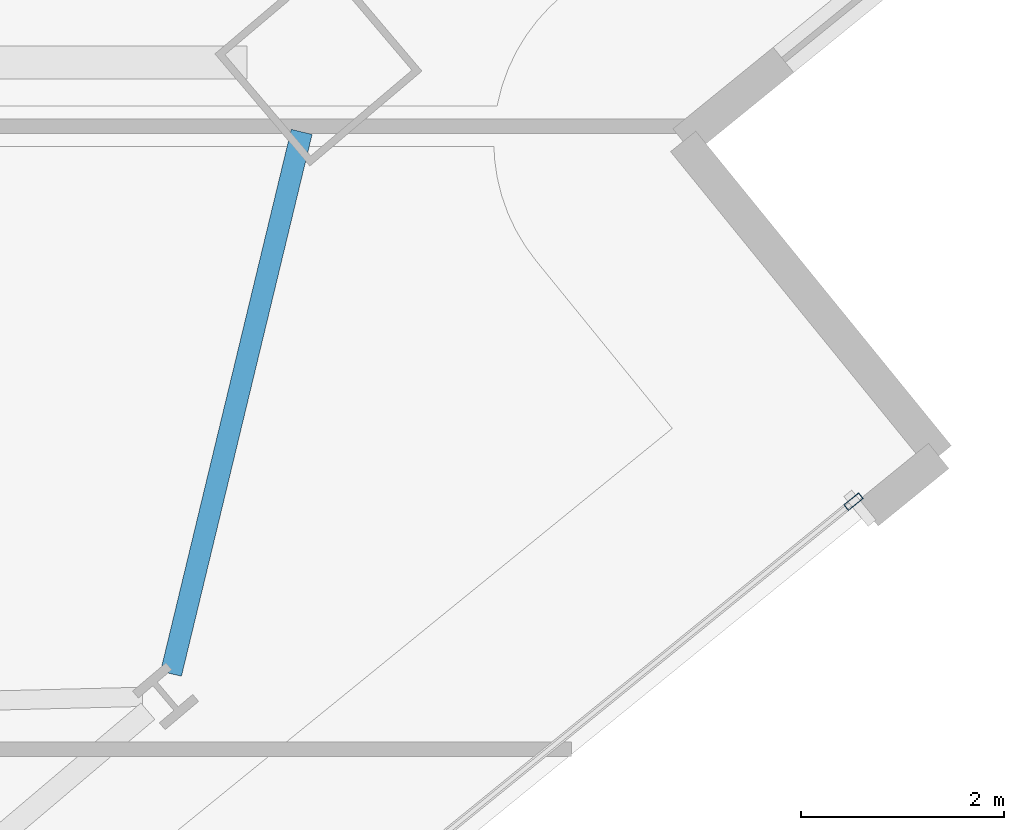
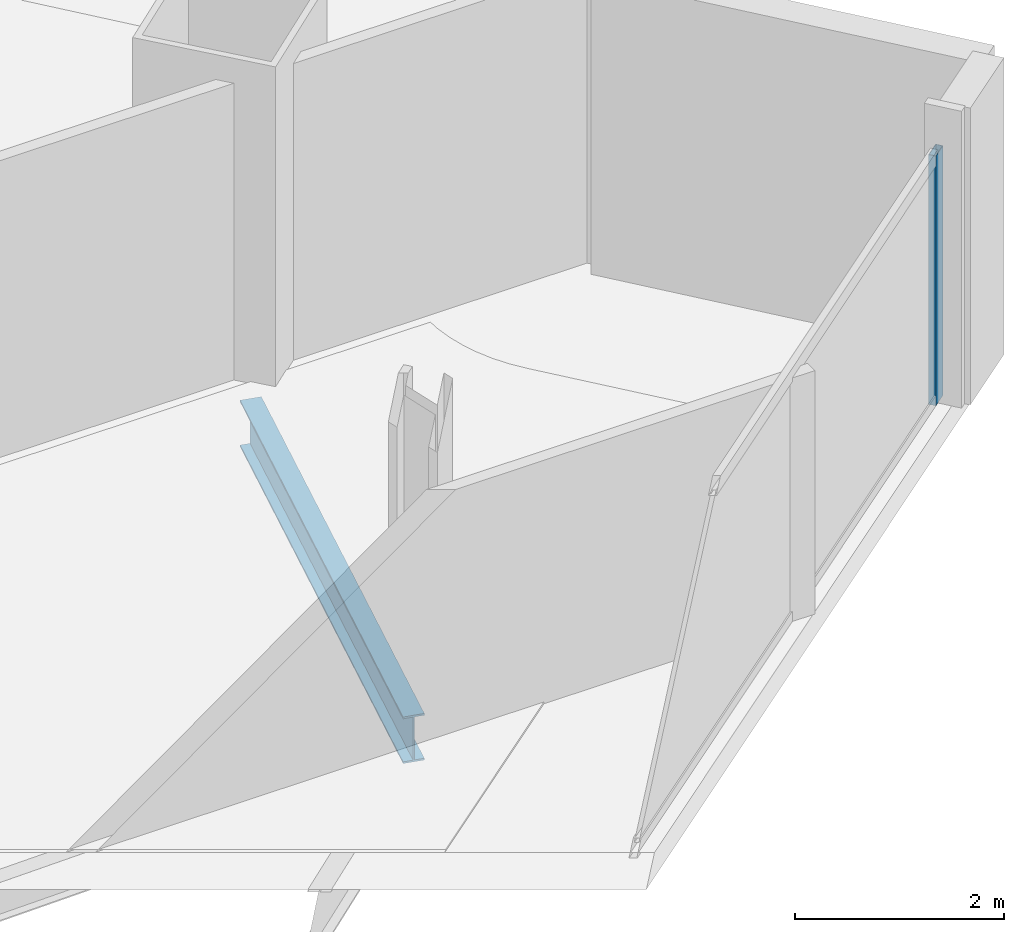
# One storey, part 12 of 36: 1 beam, 1 member, 1 element without a shape of its own.
"""IFC4 building model written with IfcOpenShell, lengths in metres."""

import ifcopenshell
import ifcopenshell.guid

model = None  # the IFC model being written
_history = None  # IfcOwnerHistory: only IFC2X3 demands one
_inside = {}  # id of a spatial element -> (the spatial element, [elements in it])
_under = {}  # id of a project, library or spatial element -> (it, [spatial elements below it])
_declared = {}  # id of a project -> (the project, [libraries it declares])
_typed = {}  # id of a type object -> (the type object, [elements of that type])
_made_of = {}  # id of a material, layer set ... -> (it, [elements and type objects made of it])


def new_model(schema):
    """Start an empty IFC model of exactly this schema.

    Asked for "IFC4X3", IfcOpenShell would pick the latest addendum, in which some entities
    have other attributes; the version numbers below select the first issue.
    IFC2X3 requires an IfcOwnerHistory on every rooted entity: one is made here for all.
    """
    global model, _history
    if schema == "IFC4X3":
        model = ifcopenshell.file(schema_version=(4, 3, 0, 0))
    else:
        model = ifcopenshell.file(schema=schema)
    _inside.clear()
    _under.clear()
    _declared.clear()
    _typed.clear()
    _made_of.clear()
    _history = None
    if model.schema == "IFC2X3":
        org = make("IfcOrganization", Name="unknown")
        user = make(
            "IfcPersonAndOrganization",
            ThePerson=make("IfcPerson", FamilyName="unknown"),
            TheOrganization=org,
        )
        app = make(
            "IfcApplication",
            ApplicationDeveloper=org,
            Version="unknown",
            ApplicationFullName="unknown",
            ApplicationIdentifier="unknown",
        )
        _history = make(
            "IfcOwnerHistory",
            OwningUser=user,
            OwningApplication=app,
            ChangeAction="ADDED",
            CreationDate=0,
        )
    return model


def make(cls, **values):
    """One entity of the class cls with the attributes given. An attribute that is None is left unset."""
    return model.create_entity(
        cls, **{name: value for name, value in values.items() if value is not None}
    )


def rooted(cls, **values):
    """An entity with a GlobalId (a new one), such as an element, a storey or a relation."""
    return make(cls, GlobalId=ifcopenshell.guid.new(), OwnerHistory=_history, **values)


def si_unit(unit_type, name, prefix=None):
    """IfcSIUnit, for example si_unit("LENGTHUNIT", "METRE", prefix="MILLI")."""
    return make("IfcSIUnit", UnitType=unit_type, Prefix=prefix, Name=name)


def assignment(units):
    """IfcUnitAssignment: the units of a project."""
    return None if units is None else make("IfcUnitAssignment", Units=units)


def point(xyz):
    """IfcCartesianPoint."""
    return None if xyz is None else make("IfcCartesianPoint", Coordinates=xyz)


def direction(xyz):
    """IfcDirection."""
    return None if xyz is None else make("IfcDirection", DirectionRatios=xyz)


def frame(location, z_axis=None, x_axis=None):
    """IfcAxis2Placement3D, a coordinate frame: its origin and axes. An axis left out is left unset."""
    return make(
        "IfcAxis2Placement3D",
        Location=point(location),
        Axis=direction(z_axis),
        RefDirection=direction(x_axis),
    )


def frame_2d(location, x_axis=None):
    """IfcAxis2Placement2D, a coordinate frame in the plane: its origin and x axis."""
    return make(
        "IfcAxis2Placement2D", Location=point(location), RefDirection=direction(x_axis)
    )


def origin():
    """The frame at (0, 0, 0) with its axes left unset."""
    return frame((0.0, 0.0, 0.0))


def origin_2d():
    """The frame at (0, 0) in the plane with its x axis left unset."""
    return frame_2d((0.0, 0.0))


def place(relative_to, where):
    """IfcLocalPlacement: puts the frame where relative to a parent placement (None: the world)."""
    return make(
        "IfcLocalPlacement", PlacementRelTo=relative_to, RelativePlacement=where
    )


def context(
    kind, dimensions, precision=None, world=None, true_north=None, identifier=None
):
    """IfcGeometricRepresentationContext, for example the 3D "Model" context."""
    return make(
        "IfcGeometricRepresentationContext",
        ContextIdentifier=identifier,
        ContextType=kind,
        CoordinateSpaceDimension=dimensions,
        Precision=precision,
        WorldCoordinateSystem=world,
        TrueNorth=true_north,
    )


def subcontext(parent, identifier, kind, view, scale=None):
    """IfcGeometricRepresentationSubContext, for example "Body" below "Model"."""
    return make(
        "IfcGeometricRepresentationSubContext",
        ContextIdentifier=identifier,
        ContextType=kind,
        ParentContext=parent,
        TargetScale=scale,
        TargetView=view,
    )


def project(units=None, contexts=None):
    """IfcProject with its units and contexts."""
    return rooted(
        "IfcProject",
        Name="project",
        RepresentationContexts=contexts,
        UnitsInContext=assignment(units),
    )


def spatial(cls, under=None, at=None, **own):
    """A site, building, storey or space (cls), placed at a placement, below another one or the project."""
    s = rooted(cls, ObjectPlacement=at, **own)
    if under is not None:
        _under.setdefault(under.id(), (under, []))[1].append(s)
    return s


def profile(cls, at=None, kind="AREA", **sizes):
    """A parametric profile (cls). Its sizes go by their IFC names, for example OverallWidth=200.0."""
    return make(cls, ProfileType=kind, Position=at, **sizes)


def hollow_rectangle(**sizes):
    """IfcRectangleHollowProfileDef."""
    return profile("IfcRectangleHollowProfileDef", **sizes)


def i_section(**sizes):
    """IfcIShapeProfileDef."""
    return profile("IfcIShapeProfileDef", **sizes)


def extrude(swept, where, along, depth):
    """IfcExtrudedAreaSolid: the profile swept, set in the frame where, extruded along a direction by depth."""
    return make(
        "IfcExtrudedAreaSolid",
        SweptArea=swept,
        Position=where,
        ExtrudedDirection=direction(along),
        Depth=depth,
    )


def shape(context_of_items, identifier, shape_type, items):
    """IfcShapeRepresentation: the items that make up one representation, for example the "Body"."""
    return make(
        "IfcShapeRepresentation",
        ContextOfItems=context_of_items,
        RepresentationIdentifier=identifier,
        RepresentationType=shape_type,
        Items=items,
    )


def material(Name=None, Category=None):
    """IfcMaterial."""
    return make("IfcMaterial", Name=Name, Category=Category)


def material_profile(
    of_material, cross_section, Name=None, Category=None, Priority=None
):
    """IfcMaterialProfile: a cross section and its material."""
    return make(
        "IfcMaterialProfile",
        Name=Name,
        Material=of_material,
        Profile=cross_section,
        Priority=Priority,
        Category=Category,
    )


def profile_set(profiles, Name=None, composite=None):
    """IfcMaterialProfileSet."""
    return make(
        "IfcMaterialProfileSet",
        Name=Name,
        MaterialProfiles=profiles,
        CompositeProfile=composite,
    )


def made_of(thing, what):
    """Note that an element or type object is made of a material, layer set ...; save() writes the relation."""
    if what is not None:
        _made_of.setdefault(what.id(), (what, []))[1].append(thing)
    return thing


def type_object(cls, material=None, **own):
    """A type object (cls), such as IfcWallType, which elements share."""
    return made_of(rooted(cls, **own), material)


def element(
    cls,
    number,
    at=None,
    inside=None,
    cuts=None,
    type_object=None,
    material=None,
    context=None,
    identifier="Body",
    shape_type=None,
    held_by="IfcProductDefinitionShape",
    body=None,
    shapes=None,
    **own,
):
    """One element of the class cls, such as IfcWall. Its Tag is "e" and its number.

    at: its placement. inside: the storey or other place that contains it. cuts: it is an
    opening in that element (IfcRelVoidsElement). A single representation is given by context,
    identifier, shape_type and body (its items); several are given by shapes. held_by: the class
    of the entity that holds the representations. save() writes the other relations.
    """
    e = rooted(cls, Tag="e%d" % number, ObjectPlacement=at, **own)
    if body is not None:
        shapes = [shape(context, identifier, shape_type, body)]
    if shapes is not None:
        e.Representation = make(held_by, Representations=shapes)
    if inside is not None:
        _inside.setdefault(inside.id(), (inside, []))[1].append(e)
    if cuts is not None:
        rooted(
            "IfcRelVoidsElement", RelatingBuildingElement=cuts, RelatedOpeningElement=e
        )
    if type_object is not None:
        _typed.setdefault(type_object.id(), (type_object, []))[1].append(e)
    return made_of(e, material)


def aggregate(whole, parts):
    """IfcRelAggregates: a whole, such as a stair, and the parts it consists of."""
    return rooted("IfcRelAggregates", RelatingObject=whole, RelatedObjects=parts)


def save(model, path):
    """Write the relations noted so far, then the file.

    IfcRelAggregates (storeys below a building ...), IfcRelContainedInSpatialStructure (elements
    in a storey), IfcRelDefinesByType, IfcRelAssociatesMaterial and IfcRelDeclares: one each for
    every whole, place, type object, material and project.
    """
    for whole, parts in _under.values():
        aggregate(whole, parts)
    for where, things in _inside.values():
        rooted(
            "IfcRelContainedInSpatialStructure",
            RelatedElements=things,
            RelatingStructure=where,
        )
    for kind, things in _typed.values():
        rooted("IfcRelDefinesByType", RelatedObjects=things, RelatingType=kind)
    for what, things in _made_of.values():
        rooted("IfcRelAssociatesMaterial", RelatedObjects=things, RelatingMaterial=what)
    for by, libraries in _declared.values():
        rooted("IfcRelDeclares", RelatingContext=by, RelatedDefinitions=libraries)
    model.write(path)


model = new_model("IFC4")

# Units and contexts
model_context = context("Model", 3, precision=1e-05, world=origin(), true_north=direction((0.0, 1.0)))
body_context = subcontext(model_context, "Body", "Model", "MODEL_VIEW")
ifc_project = project(units=[si_unit("LENGTHUNIT", "METRE"), si_unit("AREAUNIT", "SQUARE_METRE"), si_unit("VOLUMEUNIT", "CUBIC_METRE"), si_unit("PLANEANGLEUNIT", "RADIAN"), si_unit("MASSUNIT", "GRAM", prefix="KILO")], contexts=[model_context])

# Site, building, storey
site_placement = place(None, origin())
site = spatial("IfcSite", under=ifc_project, at=site_placement, CompositionType="ELEMENT")
building_placement = place(site_placement, origin())
building = spatial("IfcBuilding", under=site, at=building_placement, Name="Haldenkirk Collegiate Tower", CompositionType="ELEMENT")
storey_placement = place(building_placement, frame((0.0, 0.0, 159.449951171875)))
storey = spatial("IfcBuildingStorey", under=building, at=storey_placement, Name="L39", CompositionType="ELEMENT", Elevation=159.449951171875)

# Beam
ifc_material_1 = material(Name="Steel ASTM A992 Grade 50", Category="steel")
ifc_material_profile_1 = material_profile(ifc_material_1, i_section(OverallWidth=0.2119140625, OverallDepth=0.5439453125, WebThickness=0.01318359375, FlangeThickness=0.021240234375, at=origin_2d()), Name="W21X83")
ifc_profile_set_1 = profile_set([ifc_material_profile_1], Name="Steel ASTM A992 Grade 50")
beam_type = type_object("IfcBeamType", Name="BM-SPANDREL-W21X83", PredefinedType="SPANDREL", material=ifc_profile_set_1)
beam_placement = place(storey_placement, frame((60.010009765625, 18.595458984375, -0.56201171875), z_axis=(0.23444531808, 0.972129308698, 0.0), x_axis=(-0.972129308698, 0.23444531808, 0.0)))
element("IfcBeam", 1, at=beam_placement, inside=storey, type_object=beam_type, Name="L39 perimeter spandrel beam 04", PredefinedType="SPANDREL", context=body_context, shape_type="SweptSolid", body=[
    extrude(i_section(OverallWidth=0.2119140625, OverallDepth=0.5439453125, WebThickness=0.01318359375, FlangeThickness=0.021240234375, at=origin_2d()), origin(), (0.0, 0.0, 1.0), 5.50146484375),
])

# Curtain wall, member
ifc_material_2 = material(Name="Anodised architectural bronze aluminium", Category="aluminium")
curtain_wall_type = type_object("IfcCurtainWallType", Name="CW-SYS2-CONCAVE", PredefinedType="USERDEFINED", material=ifc_material_2)
curtain_wall_placement = place(storey_placement, origin())
curtain_wall = element("IfcCurtainWall", 2, at=curtain_wall_placement, inside=storey, type_object=curtain_wall_type, Name="L39 South concave recessed bronze-anodised curtain wall", ObjectType="UNITISED CURTAIN WALL", PredefinedType="USERDEFINED")
ifc_material_profile_2 = material_profile(ifc_material_2, hollow_rectangle(XDim=0.074951171875, YDim=0.18994140625, WallThickness=0.0048828125, at=origin_2d()), Name="CW-MUL-02")
ifc_profile_set_2 = profile_set([ifc_material_profile_2], Name="Anodised architectural bronze aluminium")
member_type = type_object("IfcMemberType", Name="CW-MUL-02", PredefinedType="MULLION", material=ifc_profile_set_2)
member_placement = place(storey_placement, frame((66.747314453125, 20.293701171875, 0.0), z_axis=(0.0, 0.0, 1.0), x_axis=(0.630673850131, -0.776047997717, 0.0)))
member = element("IfcMember", 3, at=member_placement, type_object=member_type, Name="CW-02 mullion 1", PredefinedType="MULLION", context=body_context, shape_type="SweptSolid", body=[
    extrude(hollow_rectangle(XDim=0.074951171875, YDim=0.18994140625, WallThickness=0.0048828125, at=origin_2d()), origin(), (0.0, 0.0, 1.0), 2.9111328125),
])
aggregate(curtain_wall, [member])

save(model, "model.ifc")
